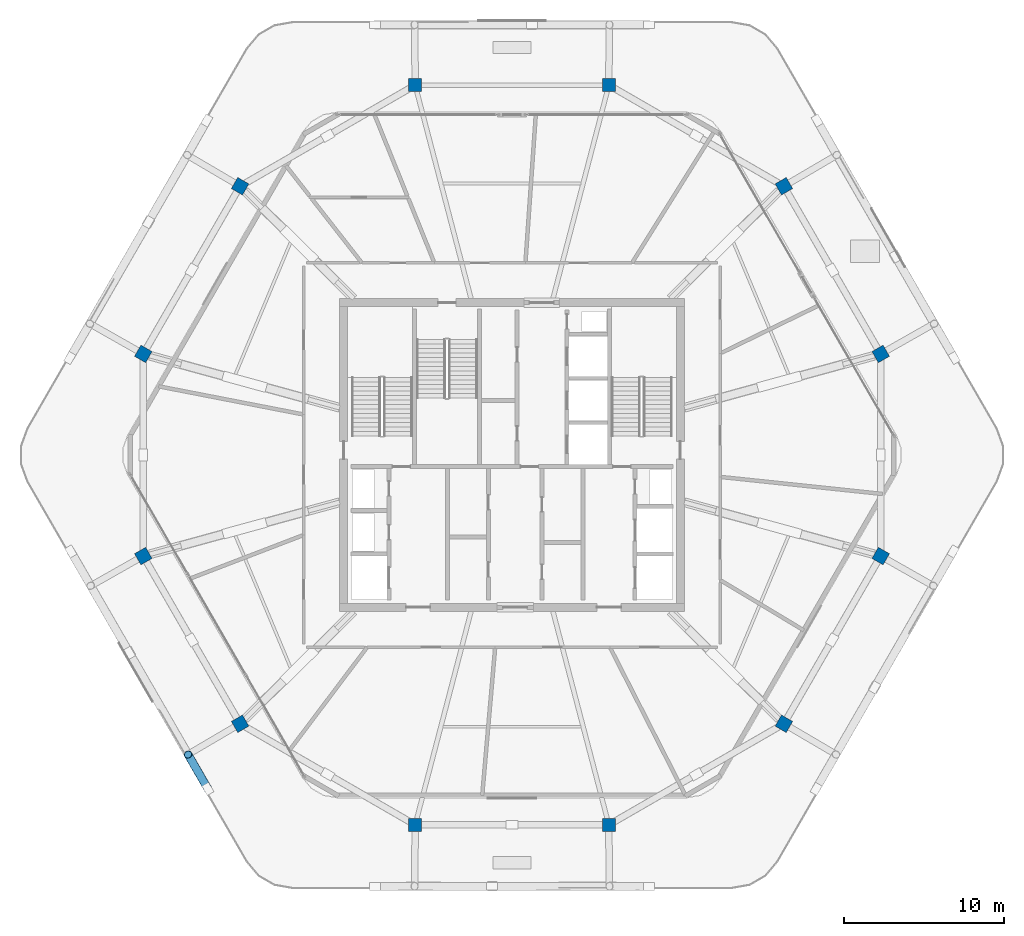
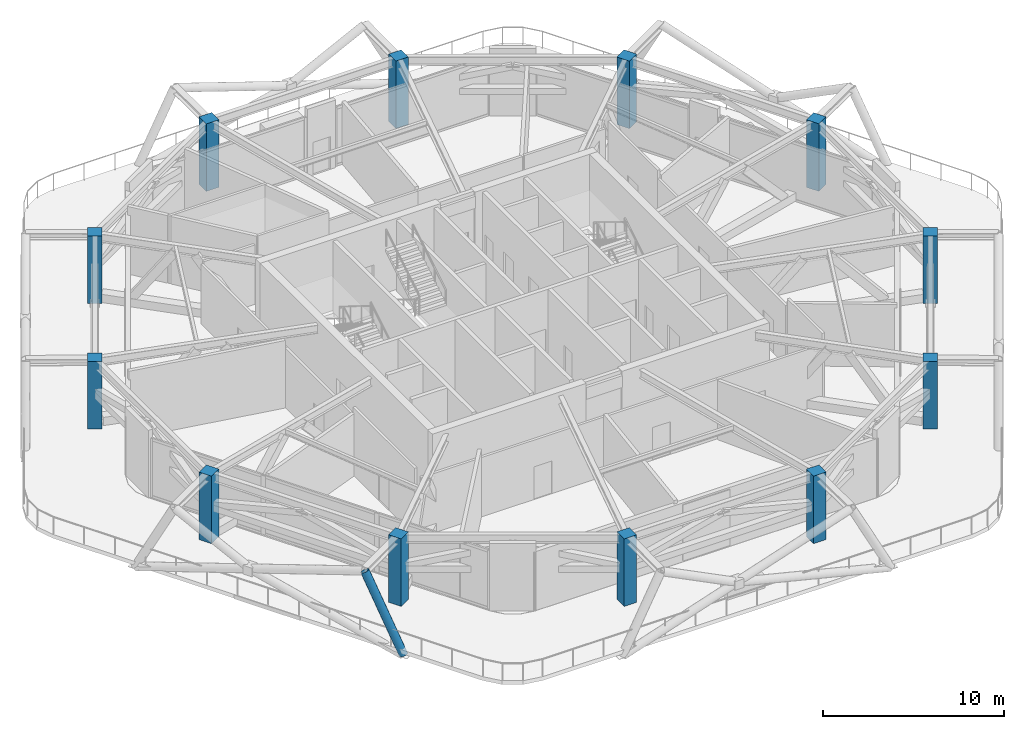
# One storey, part 1 of 19: 12 columns, 1 member.
"""IFC4 building model written with IfcOpenShell, lengths in metres."""

from ifc_helpers import new_model, si_unit, direction, frame, origin, origin_2d, place, context, subcontext, project, spatial, rectangle, hollow_circle, extrude, material, material_profile, profile_set, type_object, element, save


model = new_model("IFC4")

# Units and contexts
model_context = context("Model", 3, precision=1e-05, world=origin(), true_north=direction((0.0, 1.0)))
body_context = subcontext(model_context, "Body", "Model", "MODEL_VIEW")
ifc_project = project(units=[si_unit("LENGTHUNIT", "METRE"), si_unit("AREAUNIT", "SQUARE_METRE"), si_unit("VOLUMEUNIT", "CUBIC_METRE"), si_unit("PLANEANGLEUNIT", "RADIAN"), si_unit("MASSUNIT", "GRAM", prefix="KILO")], contexts=[model_context])

# Site, building, storey
site_placement = place(None, origin())
site = spatial("IfcSite", under=ifc_project, at=site_placement, CompositionType="ELEMENT")
building_placement = place(site_placement, origin())
building = spatial("IfcBuilding", under=site, at=building_placement, Name="Zuhravey Tower", CompositionType="ELEMENT")
storey_placement = place(building_placement, frame((0.0, 0.0, 303.39990234375)))
storey = spatial("IfcBuildingStorey", under=building, at=storey_placement, Name="L77", CompositionType="ELEMENT", Elevation=303.39990234375)

# Columns
ifc_material_1 = material(Name="Concrete C50/60", Category="concrete")
ifc_material_profile_1 = material_profile(ifc_material_1, rectangle(XDim=0.800048828125, YDim=0.800048828125, at=origin_2d()), Name="RC-800x800")
ifc_profile_set_1 = profile_set([ifc_material_profile_1], Name="Concrete C50/60")
column_type = type_object("IfcColumnType", Name="Zone 4 Perimeter Column 800x800", PredefinedType="COLUMN", material=ifc_profile_set_1)
for number, where, z_axis, x_axis, name in (
    (1, (58.993408203125, 38.302490234375, 0.0), (0.0, 0.0, 1.0), (-0.5, 0.866025403784, 0.0), "L77 Perimeter Column PC01"),
    (2, (52.95458984375, 48.76171875, 0.0), (0.0, 0.0, 1.0), (-0.5, 0.866025403784, 0.0), "L77 Perimeter Column PC02"),
    (3, (42.038818359375, 55.064208984375, 0.0), (0.0, 0.0, 1.0), (-1.0, 0.0, 0.0), "L77 Perimeter Column PC03"),
    (4, (29.961181640625, 55.064208984375, 0.0), (0.0, 0.0, 1.0), (-1.0, 0.0, 0.0), "L77 Perimeter Column PC04"),
    (5, (19.04541015625, 48.76171875, 0.0), (0.0, 0.0, 1.0), (-0.5, -0.866025403784, 0.0), "L77 Perimeter Column PC05"),
    (6, (13.006591796875, 38.302490234375, 0.0), (0.0, 0.0, 1.0), (-0.5, -0.866025403784, 0.0), "L77 Perimeter Column PC06"),
    (7, (13.006591796875, 25.697509765625, 0.0), (0.0, 0.0, 1.0), (0.5, -0.866025403784, 0.0), "L77 Perimeter Column PC07"),
    (8, (19.04541015625, 15.23828125, 0.0), (0.0, 0.0, 1.0), (0.5, -0.866025403784, 0.0), "L77 Perimeter Column PC08"),
    (9, (29.961181640625, 8.935791015625, 0.0), (0.0, 0.0, 1.0), (1.0, 0.0, 0.0), "L77 Perimeter Column PC09"),
    (10, (42.038818359375, 8.935791015625, 0.0), (0.0, 0.0, 1.0), (1.0, 0.0, 0.0), "L77 Perimeter Column PC10"),
    (11, (52.95458984375, 15.23828125, 0.0), (0.0, 0.0, 1.0), (0.5, 0.866025403784, 0.0), "L77 Perimeter Column PC11"),
    (12, (58.993408203125, 25.697509765625, 0.0), (0.0, 0.0, 1.0), (0.5, 0.866025403784, 0.0), "L77 Perimeter Column PC12"),
):
    element("IfcColumn", number, at=place(storey_placement, frame(where, z_axis=z_axis, x_axis=x_axis)), inside=storey, type_object=column_type, Name=name, PredefinedType="COLUMN", context=body_context, shape_type="SweptSolid", body=[
        extrude(rectangle(XDim=0.800048828125, YDim=0.800048828125, at=origin_2d()), origin(), (0.0, 0.0, 1.0), 4.550048828125),
    ])

# Member
ifc_material_2 = material(Name="Steel SM355", Category="steel")
ifc_material_profile_2 = material_profile(ifc_material_2, hollow_circle(Radius=0.25390625, WallThickness=0.02490234375, at=origin_2d()), Name="CHS-508.0x25")
ifc_profile_set_2 = profile_set([ifc_material_profile_2], Name="Steel SM355")
member_type = type_object("IfcMemberType", Name="Exoskeleton Zone 4 Diagrid CHS508x25", PredefinedType="BRACE", material=ifc_profile_set_2)
member_placement = place(storey_placement, frame((17.03173828125, 11.18603515625, -0.477783203125), z_axis=(-0.228556836561, 0.395833285655, 0.889425535067), x_axis=(-0.866004199017, -0.500036725936, 0.0)))
element("IfcMember", 13, at=member_placement, inside=storey, type_object=member_type, Name="L77 Face 4 Diagrid Brace 4", PredefinedType="BRACE", context=body_context, shape_type="SweptSolid", body=[
    extrude(hollow_circle(Radius=0.25390625, WallThickness=0.02490234375, at=origin_2d()), origin(), (0.0, 0.0, 1.0), 5.394287109375),
])

save(model, "model.ifc")
